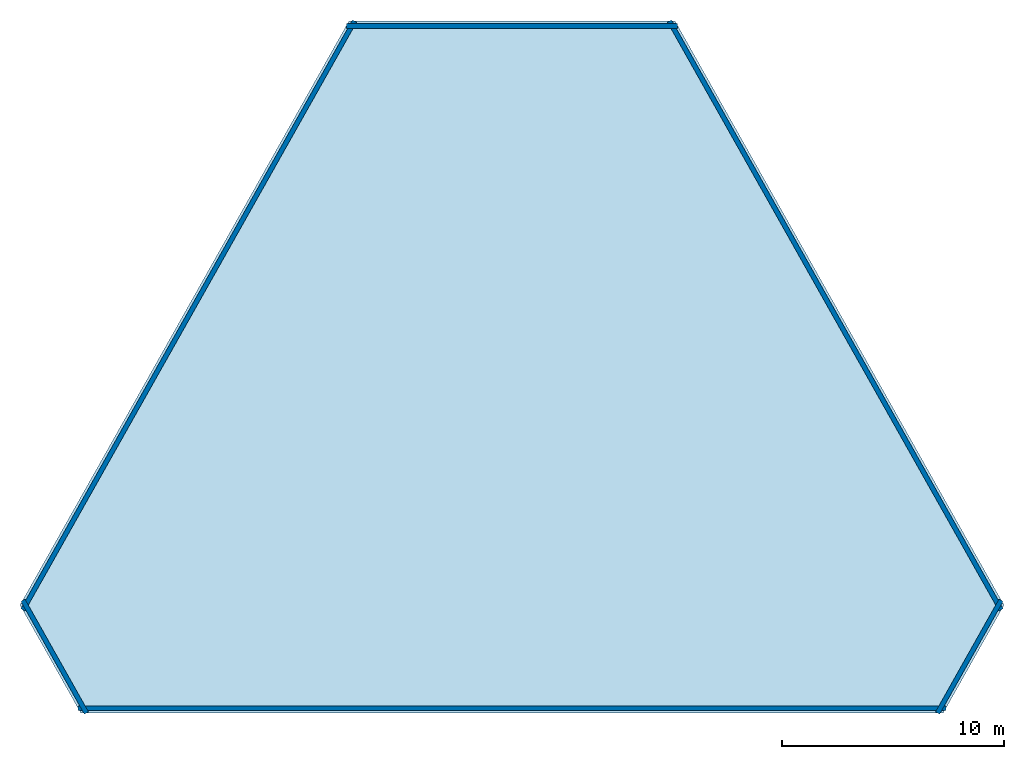
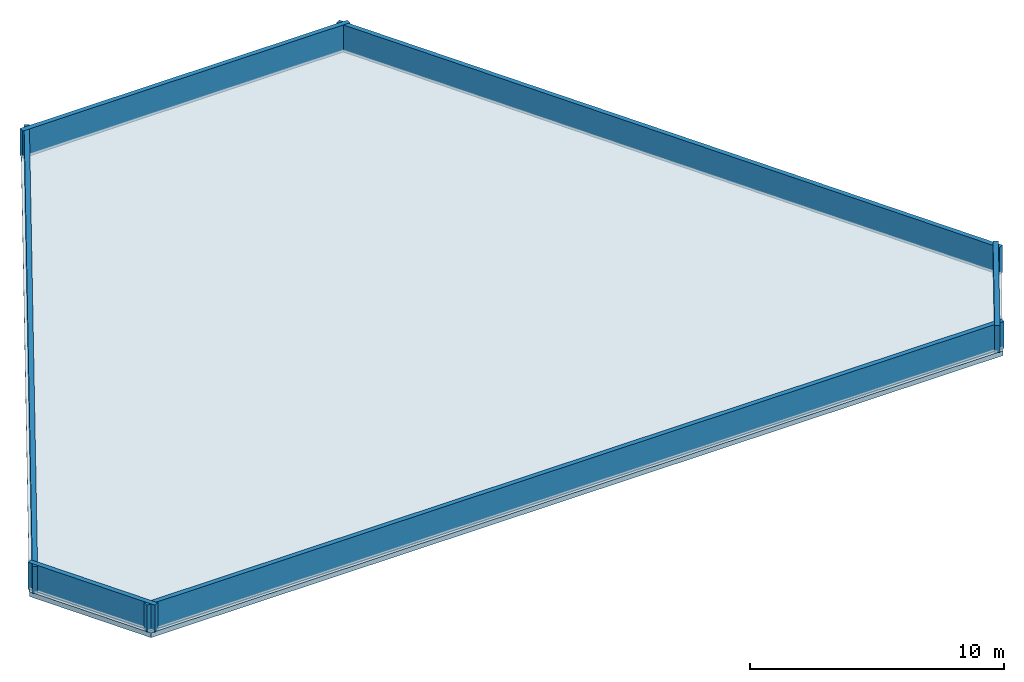
# One storey, part 1 of 2: 6 walls, 1 slab.
"""IFC4 building model written with IfcOpenShell, lengths in metres."""

from ifc_helpers import new_model, si_unit, direction, frame, frame_2d, origin, place, context, subcontext, project, spatial, polyline, rectangle, outline, extrude, material, layer, layer_set, type_object, element, save


model = new_model("IFC4")

# Units and contexts
model_context = context("Model", 3, precision=1e-05, world=origin(), true_north=direction((0.0, 1.0)))
body_context = subcontext(model_context, "Body", "Model", "MODEL_VIEW")
ifc_project = project(units=[si_unit("LENGTHUNIT", "METRE"), si_unit("AREAUNIT", "SQUARE_METRE"), si_unit("VOLUMEUNIT", "CUBIC_METRE"), si_unit("PLANEANGLEUNIT", "RADIAN"), si_unit("MASSUNIT", "GRAM", prefix="KILO")], contexts=[model_context])

# Site, building, storey
site_placement = place(None, origin())
site = spatial("IfcSite", under=ifc_project, at=site_placement, CompositionType="ELEMENT")
building_placement = place(site_placement, origin())
building = spatial("IfcBuilding", under=site, at=building_placement, Name="Kavelnor Concourse Tower", CompositionType="ELEMENT")
storey_placement = place(building_placement, frame((0.0, 0.0, 321.449951171875)))
storey = spatial("IfcBuildingStorey", under=building, at=storey_placement, Name="ROOF", CompositionType="ELEMENT", Elevation=321.449951171875)

# Slab
ifc_material_1 = material(Name="Concrete C40/50", Category="concrete")
ifc_layer_1 = layer(ifc_material_1, 0.22998046875, Name="Concrete C40/50")
ifc_layer_set_1 = layer_set([ifc_layer_1], Name="Concrete C40/50")
slab_type = type_object("IfcSlabType", Name="SLB-CROWN-CAP-ROOF-230", PredefinedType="ROOF", material=ifc_layer_set_1)
slab_placement = place(storey_placement, frame((0.0, 0.0, -0.22998046875)))
element("IfcSlab", 1, at=slab_placement, inside=storey, type_object=slab_type, Name="Crown Cap Structural Roof Slab", PredefinedType="ROOF", context=body_context, shape_type="SweptSolid", body=[
    extrude(outline(polyline([(45.32958984375, 36.756103515625), (30.67041015625, 36.756103515625), (15.88671875, 10.507568359375), (18.619873046875, 5.655029296875), (57.380126953125, 5.655029296875), (60.11328125, 10.507568359375), (45.32958984375, 36.756103515625)])), origin(), (0.0, 0.0, 1.0), 0.22998046875),
])

# Walls
ifc_material_2 = material(Name="Buff ironspot clay face brick masonry", Category="masonry")
ifc_layer_2 = layer(ifc_material_2, 0.2099609375, Name="Buff ironspot clay face brick masonry")
ifc_layer_set_2 = layer_set([ifc_layer_2], Name="Buff ironspot clay face brick masonry")
wall_type = type_object("IfcWallType", Name="WL-PARAPET-CROWN-210", PredefinedType="PARAPET", material=ifc_layer_set_2)
wall_1_placement = place(storey_placement, frame((45.44970703125, 36.5361328125, 0.0), z_axis=(0.0, 0.0, 1.0), x_axis=(-1.0, 0.0, 0.0)))
element("IfcWall", 2, at=wall_1_placement, inside=storey, type_object=wall_type, Name="ROOF Crown Top Coping Parapet E0", PredefinedType="PARAPET", context=body_context, shape_type="SweptSolid", body=[
    extrude(rectangle(XDim=14.8994140625, YDim=0.2099609375, at=frame_2d((7.44970703125, 0.0))), origin(), (0.0, 0.0, 1.0), 1.300048828125),
])
wall_2_placement = place(storey_placement, frame((30.9208984375, 36.752685546875, 0.0), z_axis=(0.0, 0.0, 1.0), x_axis=(-0.490736798214, -0.87130786458, 0.0)))
element("IfcWall", 3, at=wall_2_placement, inside=storey, type_object=wall_type, Name="ROOF Crown Top Coping Parapet E1", PredefinedType="PARAPET", context=body_context, shape_type="SweptSolid", body=[
    extrude(rectangle(XDim=30.365234375, YDim=0.2099609375, at=frame_2d((15.1826171875, 0.0))), origin(), (0.0, 0.0, 1.0), 1.300048828125),
])
wall_3_placement = place(storey_placement, frame((16.01953125, 10.72021484375, 0.0), z_axis=(0.0, 0.0, 1.0), x_axis=(0.490761960898, -0.87129369201, 0.0)))
element("IfcWall", 4, at=wall_3_placement, inside=storey, type_object=wall_type, Name="ROOF Crown Top Coping Parapet E2", PredefinedType="PARAPET", context=body_context, shape_type="SweptSolid", body=[
    extrude(rectangle(XDim=5.8095703125, YDim=0.2099609375, at=frame_2d((2.90478515625, 0.0))), origin(), (0.0, 0.0, 1.0), 1.300048828125),
])
wall_4_placement = place(storey_placement, frame((18.5, 5.875, 0.0), z_axis=(0.0, 0.0, 1.0), x_axis=(1.0, 0.0, 0.0)))
element("IfcWall", 5, at=wall_4_placement, inside=storey, type_object=wall_type, Name="ROOF Crown Top Coping Parapet E3", PredefinedType="PARAPET", context=body_context, shape_type="SweptSolid", body=[
    extrude(rectangle(XDim=39.0, YDim=0.2099609375, at=frame_2d((19.5, 0.0))), origin(), (0.0, 0.0, 1.0), 1.300048828125),
])
wall_5_placement = place(storey_placement, frame((57.12939453125, 5.658447265625, 0.0), z_axis=(0.0, 0.0, 1.0), x_axis=(0.490761960898, 0.87129369201, 0.0)))
element("IfcWall", 6, at=wall_5_placement, inside=storey, type_object=wall_type, Name="ROOF Crown Top Coping Parapet E4", PredefinedType="PARAPET", context=body_context, shape_type="SweptSolid", body=[
    extrude(rectangle(XDim=5.8095703125, YDim=0.2099609375, at=frame_2d((2.90478515625, 0.0))), origin(), (0.0, 0.0, 1.0), 1.300048828125),
])
wall_6_placement = place(storey_placement, frame((59.98046875, 10.295166015625, 0.0), z_axis=(0.0, 0.0, 1.0), x_axis=(-0.490736798214, 0.87130786458, 0.0)))
element("IfcWall", 7, at=wall_6_placement, inside=storey, type_object=wall_type, Name="ROOF Crown Top Coping Parapet E5", PredefinedType="PARAPET", context=body_context, shape_type="SweptSolid", body=[
    extrude(rectangle(XDim=30.365234375, YDim=0.2099609375, at=frame_2d((15.1826171875, 0.0))), origin(), (0.0, 0.0, 1.0), 1.300048828125),
])

save(model, "model.ifc")
